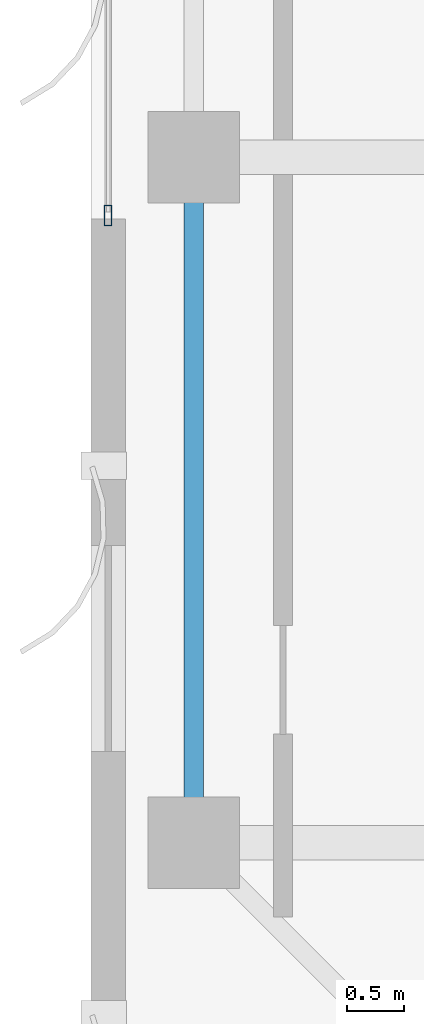
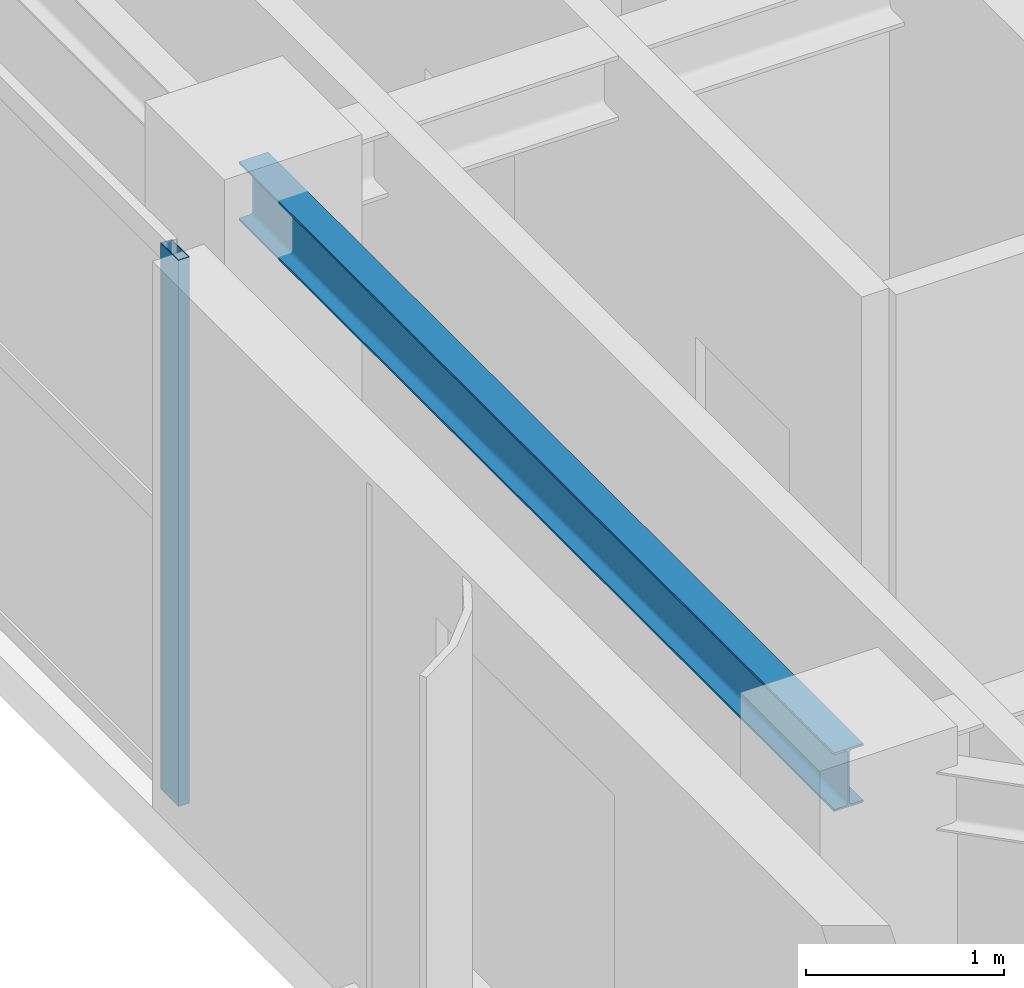
# One storey, part 3 of 22: 1 beam, 1 member, 1 element without a shape of its own.
"""IFC4 building model written with IfcOpenShell, lengths in metres."""

from ifc_helpers import new_model, si_unit, direction, frame, origin, origin_2d, place, context, subcontext, project, spatial, hollow_rectangle, i_section, extrude, source, transform, mapped, material, layer, layer_set, material_profile, profile_set, type_object, element, aggregate, save


model = new_model("IFC4")

# Units and contexts
model_context = context("Model", 3, precision=1e-05, world=origin(), true_north=direction((0.0, 1.0)))
body_context = subcontext(model_context, "Body", "Model", "MODEL_VIEW")
ifc_project = project(units=[si_unit("LENGTHUNIT", "METRE"), si_unit("AREAUNIT", "SQUARE_METRE"), si_unit("VOLUMEUNIT", "CUBIC_METRE"), si_unit("PLANEANGLEUNIT", "RADIAN"), si_unit("MASSUNIT", "GRAM", prefix="KILO")], contexts=[model_context])

# Site, building, storey
site_placement = place(None, origin())
site = spatial("IfcSite", under=ifc_project, at=site_placement, CompositionType="ELEMENT")
building_placement = place(site_placement, origin())
building = spatial("IfcBuilding", under=site, at=building_placement, Name="Khoralis Quay Care Tower", CompositionType="ELEMENT")
storey_placement = place(building_placement, frame((0.0, 0.0, 256.5)))
storey = spatial("IfcBuildingStorey", under=building, at=storey_placement, Name="L67", CompositionType="ELEMENT", Elevation=256.5)

# Beam
ifc_material_1 = material(Name="Steel S355", Category="steel")
ifc_material_profile_1 = material_profile(ifc_material_1, i_section(OverallWidth=0.169921875, OverallDepth=0.360107421875, WebThickness=0.008056640625, FlangeThickness=0.0126953125, FilletRadius=0.01806640625, at=origin_2d()), Name="Steel S355")
ifc_profile_set_1 = profile_set([ifc_material_profile_1], Name="Steel S355")
beam_type = type_object("IfcBeamType", Name="BM-IPE360", PredefinedType="SPANDREL", material=ifc_profile_set_1)
shared_shape_1 = source(origin(), body_context, "Body", "SweptSolid", [
    extrude(i_section(OverallWidth=0.169921875, OverallDepth=0.360107421875, WebThickness=0.008056640625, FlangeThickness=0.0126953125, FilletRadius=0.01806640625, at=origin_2d()), origin(), (0.0, 0.0, 1.0), 6.0),
])
beam_placement = place(storey_placement, frame((3.89990234375, 12.0, 3.179931640625), z_axis=(0.0, 1.0, 0.0), x_axis=(-1.0, 0.0, 0.0)))
element("IfcBeam", 1, at=beam_placement, inside=storey, type_object=beam_type, Name="BM-TSP-L67-05", PredefinedType="SPANDREL", context=body_context, shape_type="MappedRepresentation", body=[
    mapped(shared_shape_1, transform((0.0, 0.0, 0.0), scale=1.0)),
])

# Curtain wall, member
ifc_material_2 = material(Name="Pale anodised aluminium", Category="aluminium")
ifc_layer = layer(ifc_material_2, 0.159912109375)
ifc_layer_set = layer_set([ifc_layer], Name="Pale anodised aluminium")
curtain_wall_type = type_object("IfcCurtainWallType", Name="CW-SYS-Z3", PredefinedType="NOTDEFINED", material=ifc_layer_set)
curtain_wall_placement = place(storey_placement, origin())
curtain_wall = element("IfcCurtainWall", 2, at=curtain_wall_placement, inside=storey, type_object=curtain_wall_type, Name="L67 Unitised Curtain Wall CW-L67-P1-E7", PredefinedType="NOTDEFINED")
ifc_material_profile_2 = material_profile(ifc_material_2, hollow_rectangle(XDim=0.06494140625, YDim=0.179931640625, WallThickness=0.00390625, at=origin_2d()), Name="Pale anodised aluminium")
ifc_profile_set_2 = profile_set([ifc_material_profile_2], Name="Pale anodised aluminium")
member_type = type_object("IfcMemberType", Name="CW-MUL-180", PredefinedType="MULLION", material=ifc_profile_set_2)
shared_shape_2 = source(origin(), body_context, "Body", "SweptSolid", [
    extrude(hollow_rectangle(XDim=0.06494140625, YDim=0.179931640625, WallThickness=0.00390625, at=origin_2d()), origin(), (0.0, 0.0, 1.0), 3.360107421875),
])
member_placement = place(storey_placement, frame((3.14990234375, 17.489990234375, 0.0), z_axis=(0.0, 0.0, 1.0), x_axis=(1.0, 0.0, 0.0)))
member = element("IfcMember", 3, at=member_placement, type_object=member_type, Name="CW3 mullion 4", PredefinedType="MULLION", context=body_context, shape_type="MappedRepresentation", body=[
    mapped(shared_shape_2, transform((0.0, 0.0, 0.0), scale=1.0)),
])
aggregate(curtain_wall, [member])

save(model, "model.ifc")
